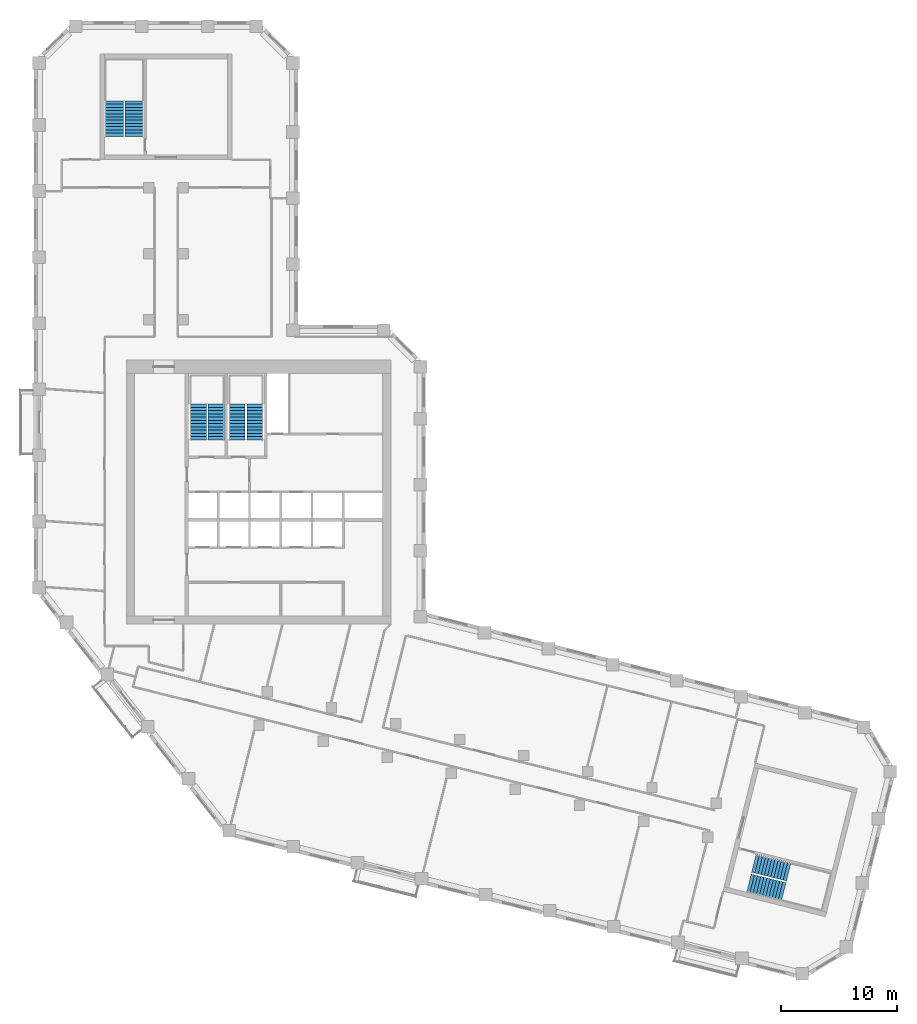
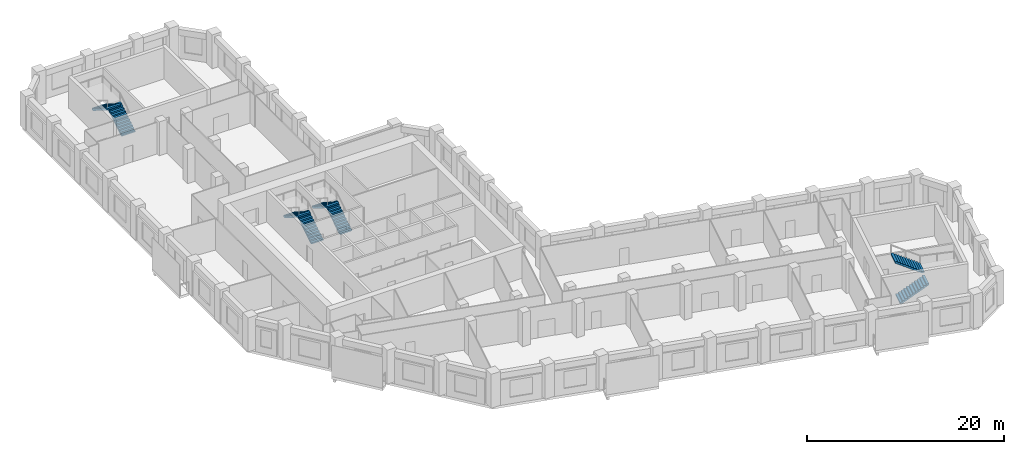
# One storey, part 9 of 10: 8 stair flights, 4 elements without a shape of their own.
"""IFC4 building model written with IfcOpenShell, lengths in metres."""

from ifc_helpers import new_model, si_unit, direction, frame, origin, place, context, subcontext, project, spatial, polyline, outline, extrude, material, type_object, element, aggregate, save


model = new_model("IFC4")

# Units and contexts
model_context = context("Model", 3, precision=1e-05, world=origin(), true_north=direction((0.0, 1.0)))
body_context = subcontext(model_context, "Body", "Model", "MODEL_VIEW")
ifc_project = project(units=[si_unit("LENGTHUNIT", "METRE"), si_unit("AREAUNIT", "SQUARE_METRE"), si_unit("VOLUMEUNIT", "CUBIC_METRE"), si_unit("PLANEANGLEUNIT", "RADIAN"), si_unit("MASSUNIT", "GRAM", prefix="KILO")], contexts=[model_context])

# Site, building, storey
site_placement = place(None, origin())
site = spatial("IfcSite", under=ifc_project, at=site_placement, CompositionType="ELEMENT")
building_placement = place(site_placement, origin())
building = spatial("IfcBuilding", under=site, at=building_placement, Name="Meshkara Civic Tower", CompositionType="ELEMENT")
storey_placement = place(building_placement, frame((0.0, 0.0, 271.800048828125)))
storey = spatial("IfcBuildingStorey", under=building, at=storey_placement, Name="L62", CompositionType="ELEMENT", Elevation=271.800048828125)

# Stair, stair flights
ifc_material_1 = material(Name="Precast concrete C40/50", Category="concrete")
stair_type_1 = type_object("IfcStairType", Name="Exit stair half-turn 24 risers 1600 precast", PredefinedType="HALF_TURN_STAIR", material=ifc_material_1)
stair_1_placement = place(storey_placement, origin())
stair_1 = element("IfcStair", 1, at=stair_1_placement, inside=storey, type_object=stair_type_1, Name="L62 exit stair A from L50", PredefinedType="HALF_TURN_STAIR")
ifc_material_2 = material(Name="Precast concrete C40/50", Category="concrete")
stair_flight_type_1 = type_object("IfcStairFlightType", Name="Exit stair flight 12 risers 1600 precast", PredefinedType="STRAIGHT", material=ifc_material_2)
stair_flight_1_placement = place(storey_placement, frame((8.675048828125, 56.169921875, 0.0), z_axis=(0.0, 0.0, 1.0), x_axis=(0.0, 1.0, 0.0)))
stair_flight_1 = element("IfcStairFlight", 2, at=stair_flight_1_placement, type_object=stair_flight_type_1, Name="ESA4 flight 1", NumberOfRisers=12, NumberOfTreads=11, PredefinedType="STRAIGHT", RiserHeight=0.175, TreadLength=0.28, context=body_context, shape_type="SweptSolid", body=[
    extrude(outline(polyline([(0.0, 0.0), (0.0, 0.175048828125), (0.280029296875, 0.175048828125), (0.280029296875, 0.35009765625), (0.56005859375, 0.35009765625), (0.56005859375, 0.52490234375), (0.840087890625, 0.52490234375), (0.840087890625, 0.699951171875), (1.1201171875, 0.699951171875), (1.1201171875, 0.875), (1.39990234375, 0.875), (1.39990234375, 1.050048828125), (1.679931640625, 1.050048828125), (1.679931640625, 1.22509765625), (1.9599609375, 1.22509765625), (1.9599609375, 1.39990234375), (2.239990234375, 1.39990234375), (2.239990234375, 1.574951171875), (2.52001953125, 1.574951171875), (2.52001953125, 1.75), (2.800048828125, 1.75), (2.800048828125, 1.925048828125), (3.080078125, 1.925048828125), (3.080078125, 2.10009765625), (3.080078125, 1.748291015625), (0.28271484375, 0.0), (0.0, 0.0)])), frame((0.0, 0.800048828125, 0.0), z_axis=(0.0, -1.0, 0.0), x_axis=(1.0, 0.0, 0.0)), (0.0, 0.0, 1.0), 1.60009765625),
])
stair_flight_2_placement = place(storey_placement, frame((6.925048828125, 59.25, 2.099853515625), z_axis=(0.0, 0.0, 1.0), x_axis=(0.0, -1.0, 0.0)))
stair_flight_2 = element("IfcStairFlight", 3, at=stair_flight_2_placement, type_object=stair_flight_type_1, Name="ESA4 flight 2", NumberOfRisers=12, NumberOfTreads=11, PredefinedType="STRAIGHT", RiserHeight=0.175, TreadLength=0.28, context=body_context, shape_type="SweptSolid", body=[
    extrude(outline(polyline([(0.0, 0.0), (0.0, 0.175048828125), (0.280029296875, 0.175048828125), (0.280029296875, 0.35009765625), (0.56005859375, 0.35009765625), (0.56005859375, 0.52490234375), (0.840087890625, 0.52490234375), (0.840087890625, 0.699951171875), (1.1201171875, 0.699951171875), (1.1201171875, 0.875), (1.39990234375, 0.875), (1.39990234375, 1.050048828125), (1.679931640625, 1.050048828125), (1.679931640625, 1.22509765625), (1.9599609375, 1.22509765625), (1.9599609375, 1.39990234375), (2.239990234375, 1.39990234375), (2.239990234375, 1.574951171875), (2.52001953125, 1.574951171875), (2.52001953125, 1.75), (2.800048828125, 1.75), (2.800048828125, 1.925048828125), (3.080078125, 1.925048828125), (3.080078125, 2.10009765625), (3.080078125, 1.748291015625), (0.28271484375, 0.0), (0.0, 0.0)])), frame((0.0, 0.800048828125, 0.0), z_axis=(0.0, -1.0, 0.0), x_axis=(1.0, 0.0, 0.0)), (0.0, 0.0, 1.0), 1.60009765625),
])
aggregate(stair_1, [stair_flight_1, stair_flight_2])

stair_2_placement = place(storey_placement, origin())
stair_2 = element("IfcStair", 4, at=stair_2_placement, inside=storey, type_object=stair_type_1, Name="L62 exit stair B from L50", PredefinedType="HALF_TURN_STAIR")
stair_flight_3_placement = place(storey_placement, frame((61.70751953125, -8.248291015625, 0.0), z_axis=(0.0, 0.0, 1.0), x_axis=(0.970260066579, -0.242064873955, 0.0)))
stair_flight_3 = element("IfcStairFlight", 5, at=stair_flight_3_placement, type_object=stair_flight_type_1, Name="ESB4 flight 1", NumberOfRisers=12, NumberOfTreads=11, PredefinedType="STRAIGHT", RiserHeight=0.175, TreadLength=0.28, context=body_context, shape_type="SweptSolid", body=[
    extrude(outline(polyline([(0.0, 0.0), (0.0, 0.175048828125), (0.280029296875, 0.175048828125), (0.280029296875, 0.35009765625), (0.56005859375, 0.35009765625), (0.56005859375, 0.52490234375), (0.840087890625, 0.52490234375), (0.840087890625, 0.699951171875), (1.1201171875, 0.699951171875), (1.1201171875, 0.875), (1.39990234375, 0.875), (1.39990234375, 1.050048828125), (1.679931640625, 1.050048828125), (1.679931640625, 1.22509765625), (1.9599609375, 1.22509765625), (1.9599609375, 1.39990234375), (2.239990234375, 1.39990234375), (2.239990234375, 1.574951171875), (2.52001953125, 1.574951171875), (2.52001953125, 1.75), (2.800048828125, 1.75), (2.800048828125, 1.925048828125), (3.080078125, 1.925048828125), (3.080078125, 2.10009765625), (3.080078125, 1.748291015625), (0.28271484375, 0.0), (0.0, 0.0)])), frame((0.0, 0.800048828125, 0.0), z_axis=(0.0, -1.0, 0.0), x_axis=(1.0, 0.0, 0.0)), (0.0, 0.0, 1.0), 1.60009765625),
])
stair_flight_4_placement = place(storey_placement, frame((65.11962890625, -7.2958984375, 2.099853515625), z_axis=(0.0, 0.0, 1.0), x_axis=(-0.970260066579, 0.242064873955, 0.0)))
stair_flight_4 = element("IfcStairFlight", 6, at=stair_flight_4_placement, type_object=stair_flight_type_1, Name="ESB4 flight 2", NumberOfRisers=12, NumberOfTreads=11, PredefinedType="STRAIGHT", RiserHeight=0.175, TreadLength=0.28, context=body_context, shape_type="SweptSolid", body=[
    extrude(outline(polyline([(0.0, 0.0), (0.0, 0.175048828125), (0.280029296875, 0.175048828125), (0.280029296875, 0.35009765625), (0.56005859375, 0.35009765625), (0.56005859375, 0.52490234375), (0.840087890625, 0.52490234375), (0.840087890625, 0.699951171875), (1.1201171875, 0.699951171875), (1.1201171875, 0.875), (1.39990234375, 0.875), (1.39990234375, 1.050048828125), (1.679931640625, 1.050048828125), (1.679931640625, 1.22509765625), (1.9599609375, 1.22509765625), (1.9599609375, 1.39990234375), (2.239990234375, 1.39990234375), (2.239990234375, 1.574951171875), (2.52001953125, 1.574951171875), (2.52001953125, 1.75), (2.800048828125, 1.75), (2.800048828125, 1.925048828125), (3.080078125, 1.925048828125), (3.080078125, 2.10009765625), (3.080078125, 1.748291015625), (0.28271484375, 0.0), (0.0, 0.0)])), frame((0.0, 0.800048828125, 0.0), z_axis=(0.0, -1.0, 0.0), x_axis=(1.0, 0.0, 0.0)), (0.0, 0.0, 1.0), 1.60009765625),
])
aggregate(stair_2, [stair_flight_3, stair_flight_4])

ifc_material_3 = material(Name="Precast concrete C40/50", Category="concrete")
stair_type_2 = type_object("IfcStairType", Name="Exit stair half-turn 24 risers precast", PredefinedType="HALF_TURN_STAIR", material=ifc_material_3)
stair_3_placement = place(storey_placement, origin())
stair_3 = element("IfcStair", 7, at=stair_3_placement, inside=storey, type_object=stair_type_2, Name="L62 exit stair 1", PredefinedType="HALF_TURN_STAIR")
ifc_material_4 = material(Name="Precast concrete C40/50", Category="concrete")
stair_flight_type_2 = type_object("IfcStairFlightType", Name="Exit stair flight 12 risers precast", PredefinedType="STRAIGHT", material=ifc_material_4)
stair_flight_5_placement = place(storey_placement, frame((15.72509765625, 30.0, 0.0), z_axis=(0.0, 0.0, 1.0), x_axis=(0.0, 1.0, 0.0)))
stair_flight_5 = element("IfcStairFlight", 8, at=stair_flight_5_placement, type_object=stair_flight_type_2, Name="ST1 flight 1", NumberOfRisers=12, NumberOfTreads=11, PredefinedType="STRAIGHT", RiserHeight=0.175, TreadLength=0.28, context=body_context, shape_type="SweptSolid", body=[
    extrude(outline(polyline([(0.0, 0.0), (0.0, 0.175048828125), (0.280029296875, 0.175048828125), (0.280029296875, 0.35009765625), (0.56005859375, 0.35009765625), (0.56005859375, 0.52490234375), (0.840087890625, 0.52490234375), (0.840087890625, 0.699951171875), (1.1201171875, 0.699951171875), (1.1201171875, 0.875), (1.39990234375, 0.875), (1.39990234375, 1.050048828125), (1.679931640625, 1.050048828125), (1.679931640625, 1.22509765625), (1.9599609375, 1.22509765625), (1.9599609375, 1.39990234375), (2.239990234375, 1.39990234375), (2.239990234375, 1.574951171875), (2.52001953125, 1.574951171875), (2.52001953125, 1.75), (2.800048828125, 1.75), (2.800048828125, 1.925048828125), (3.080078125, 1.925048828125), (3.080078125, 2.10009765625), (3.080078125, 1.748291015625), (0.28271484375, 0.0), (0.0, 0.0)])), frame((0.0, 0.699951171875, 0.0), z_axis=(0.0, -1.0, 0.0), x_axis=(1.0, 0.0, 0.0)), (0.0, 0.0, 1.0), 1.39990234375),
])
stair_flight_6_placement = place(storey_placement, frame((14.175048828125, 33.080078125, 2.099853515625), z_axis=(0.0, 0.0, 1.0), x_axis=(0.0, -1.0, 0.0)))
stair_flight_6 = element("IfcStairFlight", 9, at=stair_flight_6_placement, type_object=stair_flight_type_2, Name="ST1 flight 2", NumberOfRisers=12, NumberOfTreads=11, PredefinedType="STRAIGHT", RiserHeight=0.175, TreadLength=0.28, context=body_context, shape_type="SweptSolid", body=[
    extrude(outline(polyline([(0.0, 0.0), (0.0, 0.175048828125), (0.280029296875, 0.175048828125), (0.280029296875, 0.35009765625), (0.56005859375, 0.35009765625), (0.56005859375, 0.52490234375), (0.840087890625, 0.52490234375), (0.840087890625, 0.699951171875), (1.1201171875, 0.699951171875), (1.1201171875, 0.875), (1.39990234375, 0.875), (1.39990234375, 1.050048828125), (1.679931640625, 1.050048828125), (1.679931640625, 1.22509765625), (1.9599609375, 1.22509765625), (1.9599609375, 1.39990234375), (2.239990234375, 1.39990234375), (2.239990234375, 1.574951171875), (2.52001953125, 1.574951171875), (2.52001953125, 1.75), (2.800048828125, 1.75), (2.800048828125, 1.925048828125), (3.080078125, 1.925048828125), (3.080078125, 2.10009765625), (3.080078125, 1.748291015625), (0.28271484375, 0.0), (0.0, 0.0)])), frame((0.0, 0.699951171875, 0.0), z_axis=(0.0, -1.0, 0.0), x_axis=(1.0, 0.0, 0.0)), (0.0, 0.0, 1.0), 1.39990234375),
])
aggregate(stair_3, [stair_flight_5, stair_flight_6])

stair_4_placement = place(storey_placement, origin())
stair_4 = element("IfcStair", 10, at=stair_4_placement, inside=storey, type_object=stair_type_2, Name="L62 exit stair 2", PredefinedType="HALF_TURN_STAIR")
stair_flight_7_placement = place(storey_placement, frame((19.074951171875, 30.0, 0.0), z_axis=(0.0, 0.0, 1.0), x_axis=(0.0, 1.0, 0.0)))
stair_flight_7 = element("IfcStairFlight", 11, at=stair_flight_7_placement, type_object=stair_flight_type_2, Name="ST2 flight 1", NumberOfRisers=12, NumberOfTreads=11, PredefinedType="STRAIGHT", RiserHeight=0.175, TreadLength=0.28, context=body_context, shape_type="SweptSolid", body=[
    extrude(outline(polyline([(0.0, 0.0), (0.0, 0.175048828125), (0.280029296875, 0.175048828125), (0.280029296875, 0.35009765625), (0.56005859375, 0.35009765625), (0.56005859375, 0.52490234375), (0.840087890625, 0.52490234375), (0.840087890625, 0.699951171875), (1.1201171875, 0.699951171875), (1.1201171875, 0.875), (1.39990234375, 0.875), (1.39990234375, 1.050048828125), (1.679931640625, 1.050048828125), (1.679931640625, 1.22509765625), (1.9599609375, 1.22509765625), (1.9599609375, 1.39990234375), (2.239990234375, 1.39990234375), (2.239990234375, 1.574951171875), (2.52001953125, 1.574951171875), (2.52001953125, 1.75), (2.800048828125, 1.75), (2.800048828125, 1.925048828125), (3.080078125, 1.925048828125), (3.080078125, 2.10009765625), (3.080078125, 1.748291015625), (0.28271484375, 0.0), (0.0, 0.0)])), frame((0.0, 0.699951171875, 0.0), z_axis=(0.0, -1.0, 0.0), x_axis=(1.0, 0.0, 0.0)), (0.0, 0.0, 1.0), 1.39990234375),
])
stair_flight_8_placement = place(storey_placement, frame((17.52490234375, 33.080078125, 2.099853515625), z_axis=(0.0, 0.0, 1.0), x_axis=(0.0, -1.0, 0.0)))
stair_flight_8 = element("IfcStairFlight", 12, at=stair_flight_8_placement, type_object=stair_flight_type_2, Name="ST2 flight 2", NumberOfRisers=12, NumberOfTreads=11, PredefinedType="STRAIGHT", RiserHeight=0.175, TreadLength=0.28, context=body_context, shape_type="SweptSolid", body=[
    extrude(outline(polyline([(0.0, 0.0), (0.0, 0.175048828125), (0.280029296875, 0.175048828125), (0.280029296875, 0.35009765625), (0.56005859375, 0.35009765625), (0.56005859375, 0.52490234375), (0.840087890625, 0.52490234375), (0.840087890625, 0.699951171875), (1.1201171875, 0.699951171875), (1.1201171875, 0.875), (1.39990234375, 0.875), (1.39990234375, 1.050048828125), (1.679931640625, 1.050048828125), (1.679931640625, 1.22509765625), (1.9599609375, 1.22509765625), (1.9599609375, 1.39990234375), (2.239990234375, 1.39990234375), (2.239990234375, 1.574951171875), (2.52001953125, 1.574951171875), (2.52001953125, 1.75), (2.800048828125, 1.75), (2.800048828125, 1.925048828125), (3.080078125, 1.925048828125), (3.080078125, 2.10009765625), (3.080078125, 1.748291015625), (0.28271484375, 0.0), (0.0, 0.0)])), frame((0.0, 0.699951171875, 0.0), z_axis=(0.0, -1.0, 0.0), x_axis=(1.0, 0.0, 0.0)), (0.0, 0.0, 1.0), 1.39990234375),
])
aggregate(stair_4, [stair_flight_7, stair_flight_8])

save(model, "model.ifc")
